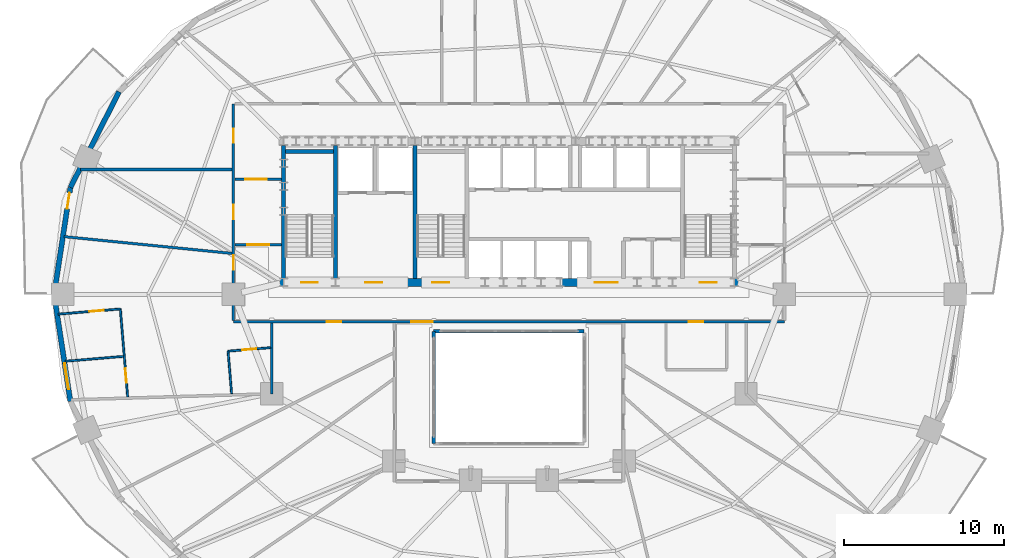
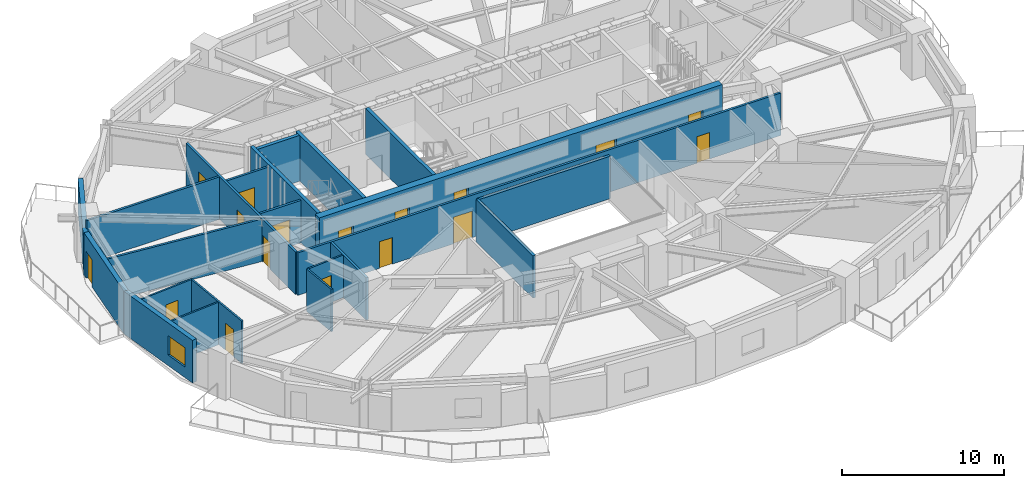
# One storey, part 8 of 15: 22 walls, 17 doors, 1 window, 18 openings.
"""IFC4 building model written with IfcOpenShell, lengths in metres."""

import ifcopenshell
import ifcopenshell.guid

model = None  # the IFC model being written
_history = None  # IfcOwnerHistory: only IFC2X3 demands one
_inside = {}  # id of a spatial element -> (the spatial element, [elements in it])
_under = {}  # id of a project, library or spatial element -> (it, [spatial elements below it])
_declared = {}  # id of a project -> (the project, [libraries it declares])
_typed = {}  # id of a type object -> (the type object, [elements of that type])
_made_of = {}  # id of a material, layer set ... -> (it, [elements and type objects made of it])


def new_model(schema):
    """Start an empty IFC model of exactly this schema.

    Asked for "IFC4X3", IfcOpenShell would pick the latest addendum, in which some entities
    have other attributes; the version numbers below select the first issue.
    IFC2X3 requires an IfcOwnerHistory on every rooted entity: one is made here for all.
    """
    global model, _history
    if schema == "IFC4X3":
        model = ifcopenshell.file(schema_version=(4, 3, 0, 0))
    else:
        model = ifcopenshell.file(schema=schema)
    _inside.clear()
    _under.clear()
    _declared.clear()
    _typed.clear()
    _made_of.clear()
    _history = None
    if model.schema == "IFC2X3":
        org = make("IfcOrganization", Name="unknown")
        user = make(
            "IfcPersonAndOrganization",
            ThePerson=make("IfcPerson", FamilyName="unknown"),
            TheOrganization=org,
        )
        app = make(
            "IfcApplication",
            ApplicationDeveloper=org,
            Version="unknown",
            ApplicationFullName="unknown",
            ApplicationIdentifier="unknown",
        )
        _history = make(
            "IfcOwnerHistory",
            OwningUser=user,
            OwningApplication=app,
            ChangeAction="ADDED",
            CreationDate=0,
        )
    return model


def make(cls, **values):
    """One entity of the class cls with the attributes given. An attribute that is None is left unset."""
    return model.create_entity(
        cls, **{name: value for name, value in values.items() if value is not None}
    )


def rooted(cls, **values):
    """An entity with a GlobalId (a new one), such as an element, a storey or a relation."""
    return make(cls, GlobalId=ifcopenshell.guid.new(), OwnerHistory=_history, **values)


def si_unit(unit_type, name, prefix=None):
    """IfcSIUnit, for example si_unit("LENGTHUNIT", "METRE", prefix="MILLI")."""
    return make("IfcSIUnit", UnitType=unit_type, Prefix=prefix, Name=name)


def assignment(units):
    """IfcUnitAssignment: the units of a project."""
    return None if units is None else make("IfcUnitAssignment", Units=units)


def point(xyz):
    """IfcCartesianPoint."""
    return None if xyz is None else make("IfcCartesianPoint", Coordinates=xyz)


def direction(xyz):
    """IfcDirection."""
    return None if xyz is None else make("IfcDirection", DirectionRatios=xyz)


def frame(location, z_axis=None, x_axis=None):
    """IfcAxis2Placement3D, a coordinate frame: its origin and axes. An axis left out is left unset."""
    return make(
        "IfcAxis2Placement3D",
        Location=point(location),
        Axis=direction(z_axis),
        RefDirection=direction(x_axis),
    )


def frame_2d(location, x_axis=None):
    """IfcAxis2Placement2D, a coordinate frame in the plane: its origin and x axis."""
    return make(
        "IfcAxis2Placement2D", Location=point(location), RefDirection=direction(x_axis)
    )


def origin():
    """The frame at (0, 0, 0) with its axes left unset."""
    return frame((0.0, 0.0, 0.0))


def place(relative_to, where):
    """IfcLocalPlacement: puts the frame where relative to a parent placement (None: the world)."""
    return make(
        "IfcLocalPlacement", PlacementRelTo=relative_to, RelativePlacement=where
    )


def context(
    kind, dimensions, precision=None, world=None, true_north=None, identifier=None
):
    """IfcGeometricRepresentationContext, for example the 3D "Model" context."""
    return make(
        "IfcGeometricRepresentationContext",
        ContextIdentifier=identifier,
        ContextType=kind,
        CoordinateSpaceDimension=dimensions,
        Precision=precision,
        WorldCoordinateSystem=world,
        TrueNorth=true_north,
    )


def subcontext(parent, identifier, kind, view, scale=None):
    """IfcGeometricRepresentationSubContext, for example "Body" below "Model"."""
    return make(
        "IfcGeometricRepresentationSubContext",
        ContextIdentifier=identifier,
        ContextType=kind,
        ParentContext=parent,
        TargetScale=scale,
        TargetView=view,
    )


def project(units=None, contexts=None):
    """IfcProject with its units and contexts."""
    return rooted(
        "IfcProject",
        Name="project",
        RepresentationContexts=contexts,
        UnitsInContext=assignment(units),
    )


def spatial(cls, under=None, at=None, **own):
    """A site, building, storey or space (cls), placed at a placement, below another one or the project."""
    s = rooted(cls, ObjectPlacement=at, **own)
    if under is not None:
        _under.setdefault(under.id(), (under, []))[1].append(s)
    return s


def profile(cls, at=None, kind="AREA", **sizes):
    """A parametric profile (cls). Its sizes go by their IFC names, for example OverallWidth=200.0."""
    return make(cls, ProfileType=kind, Position=at, **sizes)


def rectangle(**sizes):
    """IfcRectangleProfileDef."""
    return profile("IfcRectangleProfileDef", **sizes)


def extrude(swept, where, along, depth):
    """IfcExtrudedAreaSolid: the profile swept, set in the frame where, extruded along a direction by depth."""
    return make(
        "IfcExtrudedAreaSolid",
        SweptArea=swept,
        Position=where,
        ExtrudedDirection=direction(along),
        Depth=depth,
    )


def shape(context_of_items, identifier, shape_type, items):
    """IfcShapeRepresentation: the items that make up one representation, for example the "Body"."""
    return make(
        "IfcShapeRepresentation",
        ContextOfItems=context_of_items,
        RepresentationIdentifier=identifier,
        RepresentationType=shape_type,
        Items=items,
    )


def material(Name=None, Category=None):
    """IfcMaterial."""
    return make("IfcMaterial", Name=Name, Category=Category)


def layer(
    of_material, thickness, ventilated=None, Name=None, Category=None, Priority=None
):
    """IfcMaterialLayer: one layer of a wall or slab, of a material (None: an air gap)."""
    return make(
        "IfcMaterialLayer",
        Material=of_material,
        LayerThickness=thickness,
        IsVentilated=ventilated,
        Name=Name,
        Category=Category,
        Priority=Priority,
    )


def layer_set(layers, Name=None):
    """IfcMaterialLayerSet."""
    return make("IfcMaterialLayerSet", MaterialLayers=layers, LayerSetName=Name)


def made_of(thing, what):
    """Note that an element or type object is made of a material, layer set ...; save() writes the relation."""
    if what is not None:
        _made_of.setdefault(what.id(), (what, []))[1].append(thing)
    return thing


def type_object(cls, material=None, **own):
    """A type object (cls), such as IfcWallType, which elements share."""
    return made_of(rooted(cls, **own), material)


def element(
    cls,
    number,
    at=None,
    inside=None,
    cuts=None,
    type_object=None,
    material=None,
    context=None,
    identifier="Body",
    shape_type=None,
    held_by="IfcProductDefinitionShape",
    body=None,
    shapes=None,
    **own,
):
    """One element of the class cls, such as IfcWall. Its Tag is "e" and its number.

    at: its placement. inside: the storey or other place that contains it. cuts: it is an
    opening in that element (IfcRelVoidsElement). A single representation is given by context,
    identifier, shape_type and body (its items); several are given by shapes. held_by: the class
    of the entity that holds the representations. save() writes the other relations.
    """
    e = rooted(cls, Tag="e%d" % number, ObjectPlacement=at, **own)
    if body is not None:
        shapes = [shape(context, identifier, shape_type, body)]
    if shapes is not None:
        e.Representation = make(held_by, Representations=shapes)
    if inside is not None:
        _inside.setdefault(inside.id(), (inside, []))[1].append(e)
    if cuts is not None:
        rooted(
            "IfcRelVoidsElement", RelatingBuildingElement=cuts, RelatedOpeningElement=e
        )
    if type_object is not None:
        _typed.setdefault(type_object.id(), (type_object, []))[1].append(e)
    return made_of(e, material)


def fill(opening, filler):
    """IfcRelFillsElement: the door or window that sits in an opening."""
    return rooted(
        "IfcRelFillsElement",
        RelatingOpeningElement=opening,
        RelatedBuildingElement=filler,
    )


def aggregate(whole, parts):
    """IfcRelAggregates: a whole, such as a stair, and the parts it consists of."""
    return rooted("IfcRelAggregates", RelatingObject=whole, RelatedObjects=parts)


def save(model, path):
    """Write the relations noted so far, then the file.

    IfcRelAggregates (storeys below a building ...), IfcRelContainedInSpatialStructure (elements
    in a storey), IfcRelDefinesByType, IfcRelAssociatesMaterial and IfcRelDeclares: one each for
    every whole, place, type object, material and project.
    """
    for whole, parts in _under.values():
        aggregate(whole, parts)
    for where, things in _inside.values():
        rooted(
            "IfcRelContainedInSpatialStructure",
            RelatedElements=things,
            RelatingStructure=where,
        )
    for kind, things in _typed.values():
        rooted("IfcRelDefinesByType", RelatedObjects=things, RelatingType=kind)
    for what, things in _made_of.values():
        rooted("IfcRelAssociatesMaterial", RelatedObjects=things, RelatingMaterial=what)
    for by, libraries in _declared.values():
        rooted("IfcRelDeclares", RelatingContext=by, RelatedDefinitions=libraries)
    model.write(path)


model = new_model("IFC4")

# Units and contexts
model_context = context("Model", 3, precision=1e-05, world=origin(), true_north=direction((0.0, 1.0)))
body_context = subcontext(model_context, "Body", "Model", "MODEL_VIEW")
ifc_project = project(units=[si_unit("LENGTHUNIT", "METRE"), si_unit("AREAUNIT", "SQUARE_METRE"), si_unit("VOLUMEUNIT", "CUBIC_METRE"), si_unit("PLANEANGLEUNIT", "RADIAN"), si_unit("MASSUNIT", "GRAM", prefix="KILO")], contexts=[model_context])

# Site, building, storey
site_placement = place(None, origin())
site = spatial("IfcSite", under=ifc_project, at=site_placement, CompositionType="ELEMENT")
building_placement = place(site_placement, origin())
building = spatial("IfcBuilding", under=site, at=building_placement, Name="Haldorwick Loom Tower", CompositionType="ELEMENT")
storey_placement = place(building_placement, frame((0.0, 0.0, 92.14990234375)))
storey = spatial("IfcBuildingStorey", under=building, at=storey_placement, Name="L24", CompositionType="ELEMENT", Elevation=92.14990234375)

# Wall
ifc_material_1 = material(Name="Pressed Clay Face Brick and Insulated Masonry Backup Assembly", Category="masonry")
ifc_layer_1 = layer(ifc_material_1, 0.320068359375, Name="Pressed Clay Face Brick and Insulated Masonry Backup Assembly", Category="masonry")
ifc_layer_set_1 = layer_set([ifc_layer_1], Name="Pressed Clay Face Brick and Insulated Masonry Backup Assembly")
wall_type_1 = type_object("IfcWallType", Name="ARC-WL-EXT320", PredefinedType="STANDARD", material=ifc_layer_set_1)
wall_1_placement = place(storey_placement, frame((11.661376953125, 38.655517578125, 0.0), z_axis=(0.0, 0.0, 1.0), x_axis=(-0.453374078001, -0.89132033826, 0.0)))
element("IfcWall", 1, at=wall_1_placement, inside=storey, type_object=wall_type_1, Name="L24 Brick Pier and Spandrel Wall 11", PredefinedType="STANDARD", context=body_context, shape_type="SweptSolid", body=[
    extrude(rectangle(XDim=6.709716796875, YDim=0.320068359375, at=frame_2d((3.35498046875, 0.0))), origin(), (0.0, 0.0, 1.0), 2.569091796875),
])

# Wall, opening, door
wall_2_placement = place(storey_placement, frame((8.619384765625, 32.675048828125, 0.0), z_axis=(0.0, 0.0, 1.0), x_axis=(-0.150633288003, -0.988589708901, 0.0)))
wall_2 = element("IfcWall", 2, at=wall_2_placement, inside=storey, type_object=wall_type_1, Name="L24 Brick Pier and Spandrel Wall 12", PredefinedType="STANDARD", context=body_context, shape_type="SweptSolid", body=[
    extrude(rectangle(XDim=6.752197265625, YDim=0.320068359375, at=frame_2d((3.3759765625, 0.0))), origin(), (0.0, 0.0, 1.0), 3.210205078125),
])
opening_1_placement = place(wall_2_placement, frame((0.340087890625, 0.0, 0.0)))
opening_1 = element("IfcOpeningElement", 3, at=opening_1_placement, cuts=wall_2, Name="Opening D-BL10", PredefinedType="OPENING", context=body_context, shape_type="SweptSolid", body=[
    extrude(rectangle(XDim=1.0, YDim=2.0400390625, at=frame_2d((0.5, 1.02001953125))), frame((0.0, 0.169921875, 0.0), z_axis=(0.0, -1.0, 0.0), x_axis=(1.0, 0.0, 0.0)), (0.0, 0.0, 1.0), 0.340087890625),
])
ifc_material_2 = material(Name="Thermally Broken Anodized Aluminium Curtain Wall Framing", Category="aluminium")
door_type_1 = type_object("IfcDoorType", Name="ARC-DR-BAL100", OperationType="NOTDEFINED", PredefinedType="DOOR", material=ifc_material_2)
door_1_placement = place(opening_1_placement, origin())
door_1 = element("IfcDoor", 4, at=door_1_placement, inside=storey, type_object=door_type_1, Name="L24 Outdoor Terrace Door SLB-L24-BAL_WNW", OperationType="SINGLE_SWING_RIGHT", OverallHeight=2.0400390625, OverallWidth=1.0, PredefinedType="DOOR", context=body_context, shape_type="SweptSolid", body=[
    extrude(rectangle(XDim=1.0, YDim=2.0400390625, at=frame_2d((0.5, 1.02001953125))), frame((0.0, 0.02490234375, 0.0), z_axis=(0.0, -1.0, 0.0), x_axis=(1.0, 0.0, 0.0)), (0.0, 0.0, 1.0), 0.050048828125),
])
fill(opening_1, door_1)

# Wall, opening, window
wall_3_placement = place(storey_placement, frame((7.602294921875, 26.0, 0.0), z_axis=(0.0, 0.0, 1.0), x_axis=(0.150633288003, -0.988589708901, 0.0)))
wall_3 = element("IfcWall", 5, at=wall_3_placement, inside=storey, type_object=wall_type_1, Name="L24 Brick Pier and Spandrel Wall 13", PredefinedType="STANDARD", context=body_context, shape_type="SweptSolid", body=[
    extrude(rectangle(XDim=6.752197265625, YDim=0.320068359375, at=frame_2d((3.3759765625, 0.0))), origin(), (0.0, 0.0, 1.0), 3.210205078125),
])
opening_2_placement = place(wall_3_placement, frame((4.34375, 0.0, 0.800048828125)))
opening_2 = element("IfcOpeningElement", 6, at=opening_2_placement, cuts=wall_3, Name="Opening W-01B", PredefinedType="OPENING", context=body_context, shape_type="SweptSolid", body=[
    extrude(rectangle(XDim=1.64990234375, YDim=1.449951171875, at=frame_2d((0.824951171875, 0.72509765625))), frame((0.0, 0.169921875, 0.0), z_axis=(0.0, -1.0, 0.0), x_axis=(1.0, 0.0, 0.0)), (0.0, 0.0, 1.0), 0.340087890625),
])
ifc_material_3 = material(Name="Triple-Glazed Low-E Argon Insulated Glazing Unit", Category="glass")
window_type = type_object("IfcWindowType", Name="ARC-WIN-W165", PartitioningType="SINGLE_PANEL", PredefinedType="WINDOW", material=ifc_material_3)
window_placement = place(opening_2_placement, origin())
window = element("IfcWindow", 7, at=window_placement, inside=storey, type_object=window_type, Name="L24 Deep-Set Zone 7A Window 13", OverallHeight=1.449951171875, OverallWidth=1.64990234375, PartitioningType="SINGLE_PANEL", PredefinedType="WINDOW", context=body_context, shape_type="SweptSolid", body=[
    extrude(rectangle(XDim=1.64990234375, YDim=1.449951171875, at=frame_2d((0.824951171875, 0.72509765625))), frame((0.0, 0.030029296875, 0.0), z_axis=(0.0, -1.0, 0.0), x_axis=(1.0, 0.0, 0.0)), (0.0, 0.0, 1.0), 0.06005859375),
])
fill(opening_2, window)

# Wall, openings, doors
ifc_material_4 = material(Name="Fire-Rated Type X Gypsum Stud Assembly EI 60")
ifc_layer_2 = layer(ifc_material_4, 0.159912109375, Name="Fire-Rated Type X Gypsum Stud Assembly EI 60")
ifc_layer_set_2 = layer_set([ifc_layer_2], Name="Fire-Rated Type X Gypsum Stud Assembly EI 60")
wall_type_2 = type_object("IfcWallType", Name="ARC-WL-FIRE160", PredefinedType="PARTITIONING", material=ifc_layer_set_2)
wall_4_placement = place(storey_placement, frame((18.800048828125, 24.300048828125, 0.0), z_axis=(0.0, 0.0, 1.0), x_axis=(1.0, 0.0, 0.0)))
wall_4 = element("IfcWall", 8, at=wall_4_placement, inside=storey, type_object=wall_type_2, Name="L24 Residential Fire Partition L24-CR-SP", PredefinedType="PARTITIONING", context=body_context, shape_type="SweptSolid", body=[
    extrude(rectangle(XDim=34.39990234375, YDim=0.159912109375, at=frame_2d((17.199951171875, 0.0))), origin(), (0.0, 0.0, 1.0), 3.195068359375),
])
opening_3_placement = place(wall_4_placement, frame((11.085693359375, 0.0, 0.0)))
opening_3 = element("IfcOpeningElement", 9, at=opening_3_placement, cuts=wall_4, Name="Opening D-CR15", PredefinedType="OPENING", context=body_context, shape_type="SweptSolid", body=[
    extrude(rectangle(XDim=1.35009765625, YDim=2.0, at=frame_2d((0.675048828125, 1.0))), frame((0.0, 0.08984375, 0.0), z_axis=(0.0, -1.0, 0.0), x_axis=(1.0, 0.0, 0.0)), (0.0, 0.0, 1.0), 0.179931640625),
])
opening_4_placement = place(wall_4_placement, frame((5.834716796875, 0.0, 0.0)))
opening_4 = element("IfcOpeningElement", 10, at=opening_4_placement, cuts=wall_4, Name="Opening D-FD60A", PredefinedType="OPENING", context=body_context, shape_type="SweptSolid", body=[
    extrude(rectangle(XDim=0.89990234375, YDim=2.0, at=frame_2d((0.449951171875, 1.0))), frame((0.0, 0.08984375, 0.0), z_axis=(0.0, -1.0, 0.0), x_axis=(1.0, 0.0, 0.0)), (0.0, 0.0, 1.0), 0.179931640625),
])
opening_5_placement = place(wall_4_placement, frame((28.437255859375, 0.0, 0.0)))
opening_5 = element("IfcOpeningElement", 11, at=opening_5_placement, cuts=wall_4, Name="Opening D-FD60A", PredefinedType="OPENING", context=body_context, shape_type="SweptSolid", body=[
    extrude(rectangle(XDim=0.89990234375, YDim=2.0, at=frame_2d((0.449951171875, 1.0))), frame((0.0, 0.08984375, 0.0), z_axis=(0.0, -1.0, 0.0), x_axis=(1.0, 0.0, 0.0)), (0.0, 0.0, 1.0), 0.179931640625),
])
ifc_material_5 = material(Name="Thermally Broken Anodized Aluminium and Tempered Glass", Category="aluminium")
door_type_2 = type_object("IfcDoorType", Name="ARC-DR-COR150", OperationType="NOTDEFINED", PredefinedType="DOOR", material=ifc_material_5)
door_2_placement = place(opening_3_placement, origin())
door_2 = element("IfcDoor", 12, at=door_2_placement, inside=storey, type_object=door_type_2, Name="L24 L24 Central Residential Corridor to L24 South Atrium Corridor Door", OperationType="DOUBLE_DOOR_SINGLE_SWING", OverallHeight=2.0, OverallWidth=1.35009765625, PredefinedType="DOOR", context=body_context, shape_type="SweptSolid", body=[
    extrude(rectangle(XDim=1.35009765625, YDim=2.0, at=frame_2d((0.675048828125, 1.0))), frame((0.0, 0.02490234375, 0.0), z_axis=(0.0, -1.0, 0.0), x_axis=(1.0, 0.0, 0.0)), (0.0, 0.0, 1.0), 0.050048828125),
])
fill(opening_3, door_2)
ifc_material_6 = material(Name="Hollow Steel Fire Door Assembly", Category="steel")
door_type_3 = type_object("IfcDoorType", Name="ARC-DR-FD60-90", OperationType="NOTDEFINED", PredefinedType="DOOR", material=ifc_material_6)
door_3_placement = place(opening_4_placement, origin())
door_3 = element("IfcDoor", 13, at=door_3_placement, inside=storey, type_object=door_type_3, Name="L24 L24 Central Residential Corridor to Craft Hobby Hall 2 Door", OperationType="SINGLE_SWING_LEFT", OverallHeight=2.0, OverallWidth=0.89990234375, PredefinedType="DOOR", context=body_context, shape_type="SweptSolid", body=[
    extrude(rectangle(XDim=0.89990234375, YDim=2.0, at=frame_2d((0.449951171875, 1.0))), frame((0.0, 0.02490234375, 0.0), z_axis=(0.0, -1.0, 0.0), x_axis=(1.0, 0.0, 0.0)), (0.0, 0.0, 1.0), 0.050048828125),
])
fill(opening_4, door_3)
door_4_placement = place(opening_5_placement, origin())
door_4 = element("IfcDoor", 14, at=door_4_placement, inside=storey, type_object=door_type_3, Name="L24 L24 Central Residential Corridor to Common Accessible WC Door", OperationType="SINGLE_SWING_LEFT", OverallHeight=2.0, OverallWidth=0.89990234375, PredefinedType="DOOR", context=body_context, shape_type="SweptSolid", body=[
    extrude(rectangle(XDim=0.89990234375, YDim=2.0, at=frame_2d((0.449951171875, 1.0))), frame((0.0, 0.02490234375, 0.0), z_axis=(0.0, -1.0, 0.0), x_axis=(1.0, 0.0, 0.0)), (0.0, 0.0, 1.0), 0.050048828125),
])
fill(opening_5, door_4)

wall_5_placement = place(storey_placement, frame((18.800048828125, 24.383056640625, 0.0), z_axis=(0.0, 0.0, 1.0), x_axis=(0.0, 1.0, 0.0)))
wall_5 = element("IfcWall", 15, at=wall_5_placement, inside=storey, type_object=wall_type_2, Name="L24 Residential Fire Partition L24-CR-W0", PredefinedType="PARTITIONING", context=body_context, shape_type="SweptSolid", body=[
    extrude(rectangle(XDim=13.516845703125, YDim=0.159912109375, at=frame_2d((6.75830078125, 0.0))), origin(), (0.0, 0.0, 1.0), 3.195068359375),
])
opening_6_placement = place(wall_5_placement, frame((6.30859375, 0.0, 0.0)))
opening_6 = element("IfcOpeningElement", 16, at=opening_6_placement, cuts=wall_5, Name="Opening D-FD60A", PredefinedType="OPENING", context=body_context, shape_type="SweptSolid", body=[
    extrude(rectangle(XDim=0.89990234375, YDim=2.0, at=frame_2d((0.449951171875, 1.0))), frame((0.0, 0.08984375, 0.0), z_axis=(0.0, -1.0, 0.0), x_axis=(1.0, 0.0, 0.0)), (0.0, 0.0, 1.0), 0.179931640625),
])
opening_7_placement = place(wall_5_placement, frame((3.149169921875, 0.0, 0.0)))
opening_7 = element("IfcOpeningElement", 17, at=opening_7_placement, cuts=wall_5, Name="Opening D-FD60A", PredefinedType="OPENING", context=body_context, shape_type="SweptSolid", body=[
    extrude(rectangle(XDim=0.89990234375, YDim=2.0, at=frame_2d((0.449951171875, 1.0))), frame((0.0, 0.08984375, 0.0), z_axis=(0.0, -1.0, 0.0), x_axis=(1.0, 0.0, 0.0)), (0.0, 0.0, 1.0), 0.179931640625),
])
opening_8_placement = place(wall_5_placement, frame((11.07275390625, 0.0, 0.0)))
opening_8 = element("IfcOpeningElement", 18, at=opening_8_placement, cuts=wall_5, Name="Opening D-FD60A", PredefinedType="OPENING", context=body_context, shape_type="SweptSolid", body=[
    extrude(rectangle(XDim=0.89990234375, YDim=2.0, at=frame_2d((0.449951171875, 1.0))), frame((0.0, 0.08984375, 0.0), z_axis=(0.0, -1.0, 0.0), x_axis=(1.0, 0.0, 0.0)), (0.0, 0.0, 1.0), 0.179931640625),
])
door_5_placement = place(opening_6_placement, frame((0.89990234375, 0.0, 0.0), z_axis=(0.0, 0.0, 1.0), x_axis=(-1.0, 0.0, 0.0)))
door_5 = element("IfcDoor", 19, at=door_5_placement, inside=storey, type_object=door_type_3, Name="L24 Games Club Hall 3 to L24 West Residential Corridor Door", OperationType="SINGLE_SWING_LEFT", OverallHeight=2.0, OverallWidth=0.89990234375, PredefinedType="DOOR", context=body_context, shape_type="SweptSolid", body=[
    extrude(rectangle(XDim=0.89990234375, YDim=2.0, at=frame_2d((0.449951171875, 1.0))), frame((0.0, 0.02490234375, 0.0), z_axis=(0.0, -1.0, 0.0), x_axis=(1.0, 0.0, 0.0)), (0.0, 0.0, 1.0), 0.050048828125),
])
fill(opening_6, door_5)
door_6_placement = place(opening_7_placement, frame((0.89990234375, 0.0, 0.0), z_axis=(0.0, 0.0, 1.0), x_axis=(-1.0, 0.0, 0.0)))
door_6 = element("IfcDoor", 20, at=door_6_placement, inside=storey, type_object=door_type_3, Name="L24 Unit 24H Kitchen and Living Room to L24 Central Residential Corridor", OperationType="SINGLE_SWING_RIGHT", OverallHeight=2.0, OverallWidth=0.89990234375, PredefinedType="DOOR", context=body_context, shape_type="SweptSolid", body=[
    extrude(rectangle(XDim=0.89990234375, YDim=2.0, at=frame_2d((0.449951171875, 1.0))), frame((0.0, 0.02490234375, 0.0), z_axis=(0.0, -1.0, 0.0), x_axis=(1.0, 0.0, 0.0)), (0.0, 0.0, 1.0), 0.050048828125),
])
fill(opening_7, door_6)
door_7_placement = place(opening_8_placement, frame((0.89990234375, 0.0, 0.0), z_axis=(0.0, 0.0, 1.0), x_axis=(-1.0, 0.0, 0.0)))
door_7 = element("IfcDoor", 21, at=door_7_placement, inside=storey, type_object=door_type_3, Name="L24 Community Teaching Classroom 9 to L24 North Residential Corridor Doo", OperationType="SINGLE_SWING_LEFT", OverallHeight=2.0, OverallWidth=0.89990234375, PredefinedType="DOOR", context=body_context, shape_type="SweptSolid", body=[
    extrude(rectangle(XDim=0.89990234375, YDim=2.0, at=frame_2d((0.449951171875, 1.0))), frame((0.0, 0.02490234375, 0.0), z_axis=(0.0, -1.0, 0.0), x_axis=(1.0, 0.0, 0.0)), (0.0, 0.0, 1.0), 0.050048828125),
])
fill(opening_8, door_7)

# Wall, opening, door
wall_6_placement = place(storey_placement, frame((18.883056640625, 29.10009765625, 0.0), z_axis=(0.0, 0.0, 1.0), x_axis=(1.0, 0.0, 0.0)))
wall_6 = element("IfcWall", 22, at=wall_6_placement, inside=storey, type_object=wall_type_2, Name="L24 Residential Fire Partition L24-CR-WSJ", PredefinedType="PARTITIONING", context=body_context, shape_type="SweptSolid", body=[
    extrude(rectangle(XDim=2.923828125, YDim=0.159912109375, at=frame_2d((1.4619140625, 0.0))), origin(), (0.0, 0.0, 1.0), 3.195068359375),
])
opening_9_placement = place(wall_6_placement, frame((0.787109375, 0.0, 0.0)))
opening_9 = element("IfcOpeningElement", 23, at=opening_9_placement, cuts=wall_6, Name="Opening D-CR15", PredefinedType="OPENING", context=body_context, shape_type="SweptSolid", body=[
    extrude(rectangle(XDim=1.35009765625, YDim=2.0, at=frame_2d((0.675048828125, 1.0))), frame((0.0, 0.08984375, 0.0), z_axis=(0.0, -1.0, 0.0), x_axis=(1.0, 0.0, 0.0)), (0.0, 0.0, 1.0), 0.179931640625),
])
door_8_placement = place(opening_9_placement, origin())
door_8 = element("IfcDoor", 24, at=door_8_placement, inside=storey, type_object=door_type_2, Name="L24 L24 West Residential Corridor to L24 Central Residential Corridor Do", OperationType="DOUBLE_DOOR_SINGLE_SWING", OverallHeight=2.0, OverallWidth=1.35009765625, PredefinedType="DOOR", context=body_context, shape_type="SweptSolid", body=[
    extrude(rectangle(XDim=1.35009765625, YDim=2.0, at=frame_2d((0.675048828125, 1.0))), frame((0.0, 0.02490234375, 0.0), z_axis=(0.0, -1.0, 0.0), x_axis=(1.0, 0.0, 0.0)), (0.0, 0.0, 1.0), 0.050048828125),
])
fill(opening_9, door_8)

wall_7_placement = place(storey_placement, frame((18.883056640625, 33.199951171875, 0.0), z_axis=(0.0, 0.0, 1.0), x_axis=(1.0, 0.0, 0.0)))
wall_7 = element("IfcWall", 25, at=wall_7_placement, inside=storey, type_object=wall_type_2, Name="L24 Residential Fire Partition L24-CR-WNJ", PredefinedType="PARTITIONING", context=body_context, shape_type="SweptSolid", body=[
    extrude(rectangle(XDim=2.923828125, YDim=0.159912109375, at=frame_2d((1.4619140625, 0.0))), origin(), (0.0, 0.0, 1.0), 3.195068359375),
])
opening_10_placement = place(wall_7_placement, frame((0.637939453125, 0.0, 0.0)))
opening_10 = element("IfcOpeningElement", 26, at=opening_10_placement, cuts=wall_7, Name="Opening D-CR15", PredefinedType="OPENING", context=body_context, shape_type="SweptSolid", body=[
    extrude(rectangle(XDim=1.35009765625, YDim=2.0, at=frame_2d((0.675048828125, 1.0))), frame((0.0, 0.08984375, 0.0), z_axis=(0.0, -1.0, 0.0), x_axis=(1.0, 0.0, 0.0)), (0.0, 0.0, 1.0), 0.179931640625),
])
door_9_placement = place(opening_10_placement, origin())
door_9 = element("IfcDoor", 27, at=door_9_placement, inside=storey, type_object=door_type_2, Name="L24 L24 North Residential Corridor to L24 West Residential Corridor Door", OperationType="DOUBLE_DOOR_SINGLE_SWING", OverallHeight=2.0, OverallWidth=1.35009765625, PredefinedType="DOOR", context=body_context, shape_type="SweptSolid", body=[
    extrude(rectangle(XDim=1.35009765625, YDim=2.0, at=frame_2d((0.675048828125, 1.0))), frame((0.0, 0.02490234375, 0.0), z_axis=(0.0, -1.0, 0.0), x_axis=(1.0, 0.0, 0.0)), (0.0, 0.0, 1.0), 0.050048828125),
])
fill(opening_10, door_9)

# Walls
wall_8_placement = place(storey_placement, frame((21.199951171875, 24.217041015625, 0.0), z_axis=(0.0, 0.0, 1.0), x_axis=(0.0, -1.0, 0.0)))
element("IfcWall", 28, at=wall_8_placement, inside=storey, type_object=wall_type_2, Name="L24 Residential Fire Partition L24-ICA-09", PredefinedType="PARTITIONING", context=body_context, shape_type="SweptSolid", body=[
    extrude(rectangle(XDim=4.4169921875, YDim=0.159912109375, at=frame_2d((2.20849609375, 0.0))), origin(), (0.0, 0.0, 1.0), 3.195068359375),
])
wall_9_placement = place(storey_placement, frame((9.2646484375, 33.800048828125, 0.0), z_axis=(0.0, 0.0, 1.0), x_axis=(1.0, 0.0, 0.0)))
element("IfcWall", 29, at=wall_9_placement, inside=storey, type_object=wall_type_2, Name="L24 Residential Fire Partition L24-FLW-12", PredefinedType="PARTITIONING", context=body_context, shape_type="SweptSolid", body=[
    extrude(rectangle(XDim=9.452392578125, YDim=0.159912109375, at=frame_2d((4.72607421875, 0.0))), origin(), (0.0, 0.0, 1.0), 3.195068359375),
])
wall_10_placement = place(storey_placement, frame((18.717041015625, 28.560546875, 0.0), z_axis=(0.0, 0.0, 1.0), x_axis=(-0.995047265235, 0.099402917204, 0.0)))
element("IfcWall", 30, at=wall_10_placement, inside=storey, type_object=wall_type_2, Name="L24 Suite Split Wall", PredefinedType="PARTITIONING", context=body_context, shape_type="SweptSolid", body=[
    extrude(rectangle(XDim=10.55126953125, YDim=0.159912109375, at=frame_2d((5.275634765625, 0.0))), origin(), (0.0, 0.0, 1.0), 3.195068359375),
])
ifc_material_7 = material(Name="Fire-Rated Type X Gypsum Stud Assembly EI 120")
ifc_layer_3 = layer(ifc_material_7, 0.199951171875, Name="Fire-Rated Type X Gypsum Stud Assembly EI 120")
ifc_layer_set_3 = layer_set([ifc_layer_3], Name="Fire-Rated Type X Gypsum Stud Assembly EI 120")
wall_type_3 = type_object("IfcWallType", Name="ARC-WL-FIRE200", PredefinedType="PARTITIONING", material=ifc_layer_set_3)
wall_11_placement = place(storey_placement, frame((31.300048828125, 23.699951171875, 0.0), z_axis=(0.0, 0.0, 1.0), x_axis=(1.0, 0.0, 0.0)))
element("IfcWall", 31, at=wall_11_placement, inside=storey, type_object=wall_type_3, Name="L24 Atrium Fire Enclosure Wall N", PredefinedType="PARTITIONING", context=body_context, shape_type="SweptSolid", body=[
    extrude(rectangle(XDim=9.39990234375, YDim=0.199951171875, at=frame_2d((4.699951171875, 0.0))), origin(), (0.0, 0.0, 1.0), 3.195068359375),
])
wall_12_placement = place(storey_placement, frame((31.300048828125, 16.699951171875, 0.0), z_axis=(0.0, 0.0, 1.0), x_axis=(0.0, 1.0, 0.0)))
element("IfcWall", 32, at=wall_12_placement, inside=storey, type_object=wall_type_3, Name="L24 Atrium Fire Enclosure Wall W", PredefinedType="PARTITIONING", context=body_context, shape_type="SweptSolid", body=[
    extrude(rectangle(XDim=7.0, YDim=0.199951171875, at=frame_2d((3.5, 0.0))), origin(), (0.0, 0.0, 1.0), 3.195068359375),
])
ifc_material_8 = material(Name="Acoustic Gypsum Stud Assembly STC 55")
ifc_layer_4 = layer(ifc_material_8, 0.1201171875, Name="Acoustic Gypsum Stud Assembly STC 55")
ifc_layer_set_4 = layer_set([ifc_layer_4], Name="Acoustic Gypsum Stud Assembly STC 55")
wall_type_4 = type_object("IfcWallType", Name="ARC-WL-PART120", PredefinedType="PARTITIONING", material=ifc_layer_set_4)
wall_13_placement = place(storey_placement, frame((18.4638671875, 22.458251953125, 0.0), z_axis=(0.0, 0.0, 1.0), x_axis=(0.082870793894, -0.996560299992, 0.0)))
element("IfcWall", 33, at=wall_13_placement, inside=storey, type_object=wall_type_4, Name="L24 Unit 24H Interior Partition", PredefinedType="PARTITIONING", context=body_context, shape_type="SweptSolid", body=[
    extrude(rectangle(XDim=2.66015625, YDim=0.1201171875, at=frame_2d((1.330078125, 0.0))), origin(), (0.0, 0.0, 1.0), 3.195068359375),
])

# Wall, opening, door
wall_14_placement = place(storey_placement, frame((21.116943359375, 22.678955078125, 0.0), z_axis=(0.0, 0.0, 1.0), x_axis=(-0.996557764324, -0.082901280846, 0.0)))
wall_14 = element("IfcWall", 34, at=wall_14_placement, inside=storey, type_object=wall_type_4, Name="L24 Unit 24H Interior Partition", PredefinedType="PARTITIONING", context=body_context, shape_type="SweptSolid", body=[
    extrude(rectangle(XDim=2.662353515625, YDim=0.1201171875, at=frame_2d((1.3310546875, 0.0))), origin(), (0.0, 0.0, 1.0), 3.195068359375),
])
opening_11_placement = place(wall_14_placement, frame((0.89111328125, 0.0, 0.0)))
opening_11 = element("IfcOpeningElement", 35, at=opening_11_placement, cuts=wall_14, Name="Opening D-BT88", PredefinedType="OPENING", context=body_context, shape_type="SweptSolid", body=[
    extrude(rectangle(XDim=0.8798828125, YDim=2.02001953125, at=frame_2d((0.43994140625, 1.010009765625))), frame((0.0, 0.070068359375, 0.0), z_axis=(0.0, -1.0, 0.0), x_axis=(1.0, 0.0, 0.0)), (0.0, 0.0, 1.0), 0.14013671875),
])
ifc_material_9 = material(Name="Solid Core Birch Architectural Door")
door_type_4 = type_object("IfcDoorType", Name="ARC-DR-BATH88", OperationType="NOTDEFINED", PredefinedType="DOOR", material=ifc_material_9)
door_10_placement = place(opening_11_placement, origin())
door_10 = element("IfcDoor", 36, at=door_10_placement, inside=storey, type_object=door_type_4, Name="L24 Unit 24H Bathroom to Unit 24H Kitchen and Living Room Door", OperationType="SINGLE_SWING_RIGHT", OverallHeight=2.02001953125, OverallWidth=0.8798828125, PredefinedType="DOOR", context=body_context, shape_type="SweptSolid", body=[
    extrude(rectangle(XDim=0.8798828125, YDim=2.02001953125, at=frame_2d((0.43994140625, 1.010009765625))), frame((0.0, 0.02490234375, 0.0), z_axis=(0.0, -1.0, 0.0), x_axis=(1.0, 0.0, 0.0)), (0.0, 0.0, 1.0), 0.050048828125),
])
fill(opening_11, door_10)

wall_15_placement = place(storey_placement, frame((11.738037109375, 25.092529296875, 0.0), z_axis=(0.0, 0.0, 1.0), x_axis=(0.082957319871, -0.996553100984, 0.0)))
wall_15 = element("IfcWall", 37, at=wall_15_placement, inside=storey, type_object=wall_type_4, Name="L24 Unit 24H Interior Partition", PredefinedType="PARTITIONING", context=body_context, shape_type="SweptSolid", body=[
    extrude(rectangle(XDim=5.50048828125, YDim=0.1201171875, at=frame_2d((2.750244140625, 0.0))), origin(), (0.0, 0.0, 1.0), 3.195068359375),
])
opening_12_placement = place(wall_15_placement, frame((3.730224609375, 0.0, 0.0)))
opening_12 = element("IfcOpeningElement", 38, at=opening_12_placement, cuts=wall_15, Name="Opening D-IN90", PredefinedType="OPENING", context=body_context, shape_type="SweptSolid", body=[
    extrude(rectangle(XDim=0.89990234375, YDim=2.0400390625, at=frame_2d((0.449951171875, 1.02001953125))), frame((0.0, 0.070068359375, 0.0), z_axis=(0.0, -1.0, 0.0), x_axis=(1.0, 0.0, 0.0)), (0.0, 0.0, 1.0), 0.14013671875),
])
door_type_5 = type_object("IfcDoorType", Name="ARC-DR-INT90", OperationType="NOTDEFINED", PredefinedType="DOOR", material=ifc_material_9)
door_11_placement = place(opening_12_placement, origin())
door_11 = element("IfcDoor", 39, at=door_11_placement, inside=storey, type_object=door_type_5, Name="L24 Unit 24H Kitchen and Living Room to Unit 24H Bedroom 1 Door", OperationType="SINGLE_SWING_LEFT", OverallHeight=2.0400390625, OverallWidth=0.89990234375, PredefinedType="DOOR", context=body_context, shape_type="SweptSolid", body=[
    extrude(rectangle(XDim=0.89990234375, YDim=2.0400390625, at=frame_2d((0.449951171875, 1.02001953125))), frame((0.0, 0.02490234375, 0.0), z_axis=(0.0, -1.0, 0.0), x_axis=(1.0, 0.0, 0.0)), (0.0, 0.0, 1.0), 0.050048828125),
])
fill(opening_12, door_11)

wall_16_placement = place(storey_placement, frame((11.738037109375, 25.092529296875, 0.0), z_axis=(0.0, 0.0, 1.0), x_axis=(-0.996551806335, -0.082972870808, 0.0)))
wall_16 = element("IfcWall", 40, at=wall_16_placement, inside=storey, type_object=wall_type_4, Name="L24 Unit 24H Interior Partition", PredefinedType="PARTITIONING", context=body_context, shape_type="SweptSolid", body=[
    extrude(rectangle(XDim=3.895751953125, YDim=0.1201171875, at=frame_2d((1.94775390625, 0.0))), origin(), (0.0, 0.0, 1.0), 3.195068359375),
])
opening_13_placement = place(wall_16_placement, frame((1.052490234375, 0.0, 0.0)))
opening_13 = element("IfcOpeningElement", 41, at=opening_13_placement, cuts=wall_16, Name="Opening D-IN90", PredefinedType="OPENING", context=body_context, shape_type="SweptSolid", body=[
    extrude(rectangle(XDim=0.89990234375, YDim=2.0400390625, at=frame_2d((0.449951171875, 1.02001953125))), frame((0.0, 0.070068359375, 0.0), z_axis=(0.0, -1.0, 0.0), x_axis=(1.0, 0.0, 0.0)), (0.0, 0.0, 1.0), 0.14013671875),
])
door_12_placement = place(opening_13_placement, origin())
door_12 = element("IfcDoor", 42, at=door_12_placement, inside=storey, type_object=door_type_5, Name="L24 Unit 24H Bedroom 2 to Unit 24H Kitchen and Living Room Door", OperationType="SINGLE_SWING_RIGHT", OverallHeight=2.0400390625, OverallWidth=0.89990234375, PredefinedType="DOOR", context=body_context, shape_type="SweptSolid", body=[
    extrude(rectangle(XDim=0.89990234375, YDim=2.0400390625, at=frame_2d((0.449951171875, 1.02001953125))), frame((0.0, 0.02490234375, 0.0), z_axis=(0.0, -1.0, 0.0), x_axis=(1.0, 0.0, 0.0)), (0.0, 0.0, 1.0), 0.050048828125),
])
fill(opening_13, door_12)

# Wall
wall_17_placement = place(storey_placement, frame((11.92138671875, 22.131103515625, 0.0), z_axis=(0.0, 0.0, 1.0), x_axis=(-0.996550394807, -0.082989822324, 0.0)))
element("IfcWall", 43, at=wall_17_placement, inside=storey, type_object=wall_type_4, Name="L24 Unit 24H Interior Partition", PredefinedType="PARTITIONING", context=body_context, shape_type="SweptSolid", body=[
    extrude(rectangle(XDim=3.630126953125, YDim=0.1201171875, at=frame_2d((1.81494140625, 0.0))), origin(), (0.0, 0.0, 1.0), 3.195068359375),
])

# Wall, openings, doors
ifc_material_10 = material(Name="Concrete C60 (60 MPa)", Category="concrete")
ifc_layer_5 = layer(ifc_material_10, 0.5, Name="Concrete C60 (60 MPa)", Category="concrete")
ifc_layer_set_5 = layer_set([ifc_layer_5], Name="Concrete C60 (60 MPa)")
wall_type_5 = type_object("IfcWallType", Name="STR-WL-CORE500", PredefinedType="SHEAR", material=ifc_layer_set_5)
wall_18_placement = place(storey_placement, frame((21.64990234375, 26.75, 0.0), z_axis=(0.0, 0.0, 1.0), x_axis=(1.0, 0.0, 0.0)))
wall_18 = element("IfcWall", 44, at=wall_18_placement, inside=storey, type_object=wall_type_5, Name="L24 Core Shear Wall S", PredefinedType="SHEAR", context=body_context, shape_type="SweptSolid", body=[
    extrude(rectangle(XDim=28.7001953125, YDim=0.5, at=frame_2d((14.35009765625, 0.0))), origin(), (0.0, 0.0, 1.0), 3.4501953125),
])
opening_14_placement = place(wall_18_placement, frame((1.375, 0.0, 0.0)))
opening_14 = element("IfcOpeningElement", 45, at=opening_14_placement, cuts=wall_18, Name="Opening D-FD60", PredefinedType="OPENING", context=body_context, shape_type="SweptSolid", body=[
    extrude(rectangle(XDim=1.050048828125, YDim=2.0, at=frame_2d((0.52490234375, 1.0))), frame((0.0, 0.260009765625, 0.0), z_axis=(0.0, -1.0, 0.0), x_axis=(1.0, 0.0, 0.0)), (0.0, 0.0, 1.0), 0.52001953125),
])
opening_15_placement = place(wall_18_placement, frame((5.375, 0.0, 0.0)))
opening_15 = element("IfcOpeningElement", 46, at=opening_15_placement, cuts=wall_18, Name="Opening D-FD60", PredefinedType="OPENING", context=body_context, shape_type="SweptSolid", body=[
    extrude(rectangle(XDim=1.050048828125, YDim=2.0, at=frame_2d((0.52490234375, 1.0))), frame((0.0, 0.260009765625, 0.0), z_axis=(0.0, -1.0, 0.0), x_axis=(1.0, 0.0, 0.0)), (0.0, 0.0, 1.0), 0.52001953125),
])
opening_16_placement = place(wall_18_placement, frame((9.574951171875, 0.0, 0.0)))
opening_16 = element("IfcOpeningElement", 47, at=opening_16_placement, cuts=wall_18, Name="Opening D-FD60", PredefinedType="OPENING", context=body_context, shape_type="SweptSolid", body=[
    extrude(rectangle(XDim=1.050048828125, YDim=2.0, at=frame_2d((0.52490234375, 1.0))), frame((0.0, 0.260009765625, 0.0), z_axis=(0.0, -1.0, 0.0), x_axis=(1.0, 0.0, 0.0)), (0.0, 0.0, 1.0), 0.52001953125),
])
opening_17_placement = place(wall_18_placement, frame((19.705078125, 0.0, 0.0)))
opening_17 = element("IfcOpeningElement", 48, at=opening_17_placement, cuts=wall_18, Name="Opening D-LB15", PredefinedType="OPENING", context=body_context, shape_type="SweptSolid", body=[
    extrude(rectangle(XDim=1.449951171875, YDim=2.0, at=frame_2d((0.72509765625, 1.0))), frame((0.0, 0.260009765625, 0.0), z_axis=(0.0, -1.0, 0.0), x_axis=(1.0, 0.0, 0.0)), (0.0, 0.0, 1.0), 0.52001953125),
])
opening_18_placement = place(wall_18_placement, frame((26.27490234375, 0.0, 0.0)))
opening_18 = element("IfcOpeningElement", 49, at=opening_18_placement, cuts=wall_18, Name="Opening D-FD60", PredefinedType="OPENING", context=body_context, shape_type="SweptSolid", body=[
    extrude(rectangle(XDim=1.050048828125, YDim=2.0, at=frame_2d((0.52490234375, 1.0))), frame((0.0, 0.260009765625, 0.0), z_axis=(0.0, -1.0, 0.0), x_axis=(1.0, 0.0, 0.0)), (0.0, 0.0, 1.0), 0.52001953125),
])
door_type_6 = type_object("IfcDoorType", Name="ARC-DR-FD60", OperationType="NOTDEFINED", PredefinedType="DOOR", material=ifc_material_6)
door_13_placement = place(opening_14_placement, origin())
door_13 = element("IfcDoor", 50, at=door_13_placement, inside=storey, type_object=door_type_6, Name="L24 Exit Stair ST-01 Fire Door", OperationType="SINGLE_SWING_RIGHT", OverallHeight=2.0, OverallWidth=1.050048828125, PredefinedType="DOOR", context=body_context, shape_type="SweptSolid", body=[
    extrude(rectangle(XDim=1.050048828125, YDim=2.0, at=frame_2d((0.52490234375, 1.0))), frame((0.0, 0.02490234375, 0.0), z_axis=(0.0, -1.0, 0.0), x_axis=(1.0, 0.0, 0.0)), (0.0, 0.0, 1.0), 0.050048828125),
])
fill(opening_14, door_13)
door_14_placement = place(opening_15_placement, origin())
door_14 = element("IfcDoor", 51, at=door_14_placement, inside=storey, type_object=door_type_6, Name="L24 Firefighting Lift Lobby Fire Door", OperationType="SINGLE_SWING_LEFT", OverallHeight=2.0, OverallWidth=1.050048828125, PredefinedType="DOOR", context=body_context, shape_type="SweptSolid", body=[
    extrude(rectangle(XDim=1.050048828125, YDim=2.0, at=frame_2d((0.52490234375, 1.0))), frame((0.0, 0.02490234375, 0.0), z_axis=(0.0, -1.0, 0.0), x_axis=(1.0, 0.0, 0.0)), (0.0, 0.0, 1.0), 0.050048828125),
])
fill(opening_15, door_14)
door_15_placement = place(opening_16_placement, origin())
door_15 = element("IfcDoor", 52, at=door_15_placement, inside=storey, type_object=door_type_6, Name="L24 Exit Stair ST-03 Fire Door", OperationType="SINGLE_SWING_LEFT", OverallHeight=2.0, OverallWidth=1.050048828125, PredefinedType="DOOR", context=body_context, shape_type="SweptSolid", body=[
    extrude(rectangle(XDim=1.050048828125, YDim=2.0, at=frame_2d((0.52490234375, 1.0))), frame((0.0, 0.02490234375, 0.0), z_axis=(0.0, -1.0, 0.0), x_axis=(1.0, 0.0, 0.0)), (0.0, 0.0, 1.0), 0.050048828125),
])
fill(opening_16, door_15)
door_16_placement = place(opening_18_placement, origin())
door_16 = element("IfcDoor", 53, at=door_16_placement, inside=storey, type_object=door_type_6, Name="L24 Exit Stair ST-02 Fire Door", OperationType="SINGLE_SWING_LEFT", OverallHeight=2.0, OverallWidth=1.050048828125, PredefinedType="DOOR", context=body_context, shape_type="SweptSolid", body=[
    extrude(rectangle(XDim=1.050048828125, YDim=2.0, at=frame_2d((0.52490234375, 1.0))), frame((0.0, 0.02490234375, 0.0), z_axis=(0.0, -1.0, 0.0), x_axis=(1.0, 0.0, 0.0)), (0.0, 0.0, 1.0), 0.050048828125),
])
fill(opening_18, door_16)
door_type_7 = type_object("IfcDoorType", Name="ARC-DR-LOB150", OperationType="NOTDEFINED", PredefinedType="DOOR", material=ifc_material_5)
door_17_placement = place(opening_17_placement, frame((1.449951171875, 0.0, 0.0), z_axis=(0.0, 0.0, 1.0), x_axis=(-1.0, 0.0, 0.0)))
door_17 = element("IfcDoor", 54, at=door_17_placement, inside=storey, type_object=door_type_7, Name="L24 Passenger Lift Lobby Fire Door", OperationType="DOUBLE_DOOR_SINGLE_SWING", OverallHeight=2.0, OverallWidth=1.449951171875, PredefinedType="DOOR", context=body_context, shape_type="SweptSolid", body=[
    extrude(rectangle(XDim=1.449951171875, YDim=2.0, at=frame_2d((0.72509765625, 1.0))), frame((0.0, 0.02490234375, 0.0), z_axis=(0.0, -1.0, 0.0), x_axis=(1.0, 0.0, 0.0)), (0.0, 0.0, 1.0), 0.050048828125),
])
fill(opening_17, door_17)

# Walls
ifc_material_11 = material(Name="Concrete C50 (50 MPa)", Category="concrete")
ifc_layer_6 = layer(ifc_material_11, 0.239990234375, Name="Concrete C50 (50 MPa)", Category="concrete")
ifc_layer_set_6 = layer_set([ifc_layer_6], Name="Concrete C50 (50 MPa)")
wall_type_6 = type_object("IfcWallType", Name="STR-WL-SHAFT240", PredefinedType="SHEAR", material=ifc_layer_set_6)
for number, where, z_axis, x_axis, name in (
    (55, (21.929931640625, 35.297119140625, 0.0), (0.0, 0.0, 1.0), (0.0, -1.0, 0.0), "L24 Core Shear Wall W"),
    (56, (25.169921875, 27.0029296875, 0.0), (0.0, 0.0, 1.0), (0.0, 1.0, 0.0), "L24 Core Shear Wall 1"),
):
    element("IfcWall", number, at=place(storey_placement, frame(where, z_axis=z_axis, x_axis=x_axis)), inside=storey, type_object=wall_type_6, Name=name, PredefinedType="SHEAR", context=body_context, shape_type="SweptSolid", body=[
        extrude(rectangle(XDim=8.294189453125, YDim=0.239990234375, at=frame_2d((4.14697265625, 0.0))), origin(), (0.0, 0.0, 1.0), 3.4501953125),
    ])
wall_19_placement = place(storey_placement, frame((22.052978515625, 34.919921875, 0.0), z_axis=(0.0, 0.0, 1.0), x_axis=(1.0, 0.0, 0.0)))
element("IfcWall", 57, at=wall_19_placement, inside=storey, type_object=wall_type_6, Name="L24 Core Shear Wall 1N", PredefinedType="SHEAR", context=body_context, shape_type="SweptSolid", body=[
    extrude(rectangle(XDim=2.994140625, YDim=0.239990234375, at=frame_2d((1.4970703125, 0.0))), origin(), (0.0, 0.0, 1.0), 3.4501953125),
])
wall_20_placement = place(storey_placement, frame((30.1298828125, 27.0029296875, 0.0), z_axis=(0.0, 0.0, 1.0), x_axis=(0.0, 1.0, 0.0)))
element("IfcWall", 58, at=wall_20_placement, inside=storey, type_object=wall_type_6, Name="L24 Core Shear Wall 2", PredefinedType="SHEAR", context=body_context, shape_type="SweptSolid", body=[
    extrude(rectangle(XDim=8.294189453125, YDim=0.239990234375, at=frame_2d((4.14697265625, 0.0))), origin(), (0.0, 0.0, 1.0), 3.4501953125),
])

save(model, "model.ifc")
